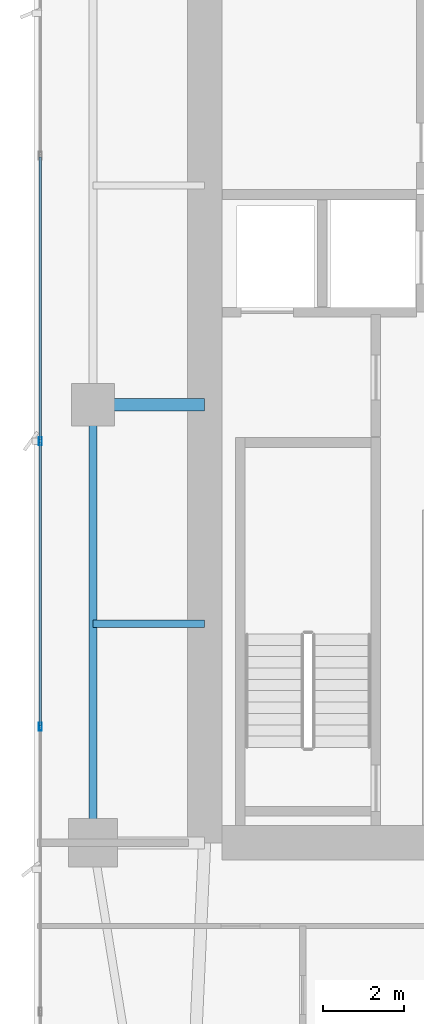
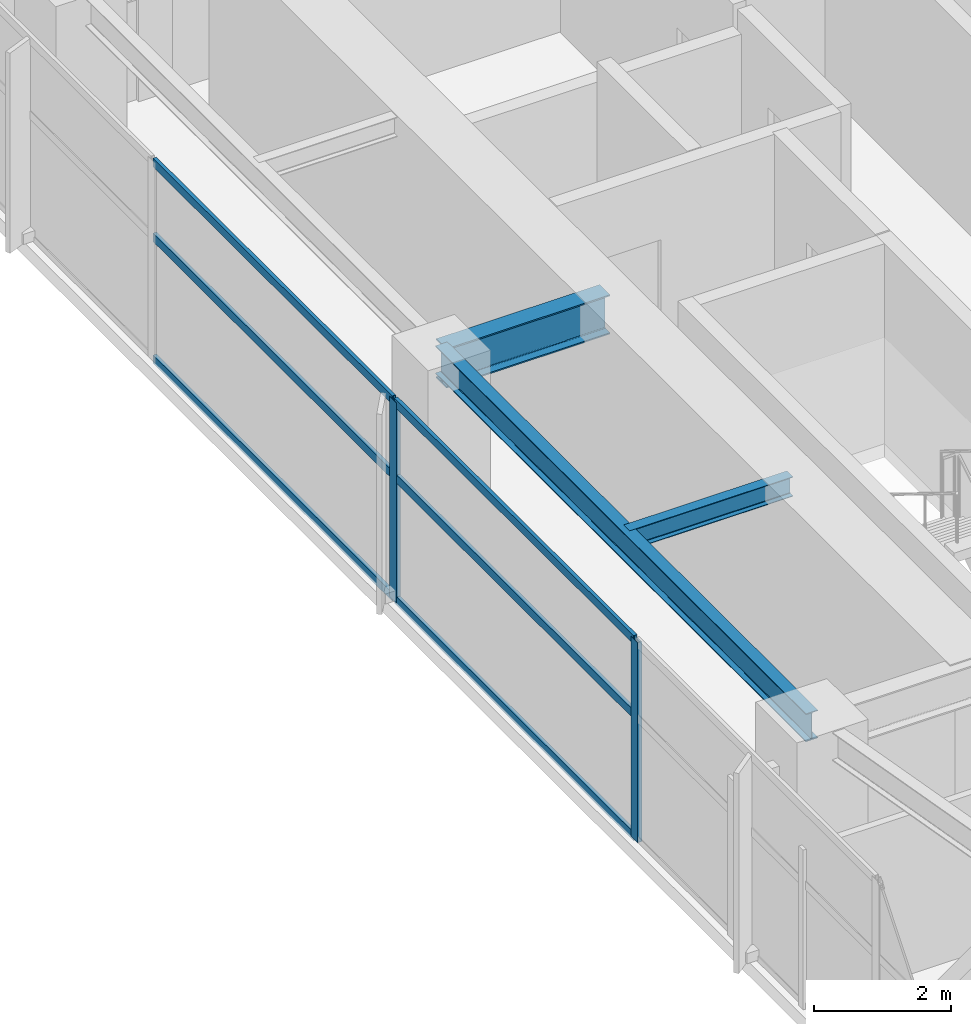
# One storey, part 8 of 29: 8 members, 3 beams, 1 element without a shape of its own.
"""IFC4 building model written with IfcOpenShell, lengths in metres."""

from ifc_helpers import new_model, si_unit, direction, frame, origin, origin_2d, place, context, subcontext, project, spatial, hollow_rectangle, i_section, extrude, material, layer, layer_set, material_profile, profile_set, type_object, element, aggregate, save


model = new_model("IFC4")

# Units and contexts
model_context = context("Model", 3, precision=1e-05, world=origin(), true_north=direction((0.0, 1.0)))
body_context = subcontext(model_context, "Body", "Model", "MODEL_VIEW")
ifc_project = project(units=[si_unit("LENGTHUNIT", "METRE"), si_unit("AREAUNIT", "SQUARE_METRE"), si_unit("VOLUMEUNIT", "CUBIC_METRE"), si_unit("PLANEANGLEUNIT", "RADIAN"), si_unit("MASSUNIT", "GRAM", prefix="KILO")], contexts=[model_context])

# Site, building, storey
site_placement = place(None, origin())
site = spatial("IfcSite", under=ifc_project, at=site_placement, CompositionType="ELEMENT")
building_placement = place(site_placement, origin())
building = spatial("IfcBuilding", under=site, at=building_placement, Name="Calvorn Quay Hotel", CompositionType="ELEMENT")
storey_placement = place(building_placement, frame((0.0, 0.0, 105.0)))
storey = spatial("IfcBuildingStorey", under=building, at=storey_placement, Name="L25", CompositionType="ELEMENT", Elevation=105.0)

# Beams
ifc_material_1 = material(Name="Steel Q390GJC", Category="steel")
ifc_material_profile_1 = material_profile(ifc_material_1, i_section(OverallWidth=0.300048828125, OverallDepth=0.699951171875, WebThickness=0.012939453125, FlangeThickness=0.02392578125, FilletRadius=0.02392578125, at=origin_2d()), Name="HN700x300x13x24")
ifc_profile_set_1 = profile_set([ifc_material_profile_1], Name="Steel Q390GJC")
beam_type_1 = type_object("IfcBeamType", Name="BM-GIRD-MAIN", PredefinedType="BEAM", material=ifc_profile_set_1)
beam_1_placement = place(storey_placement, frame((1.449951171875, 27.60009765625, 3.18994140625), z_axis=(1.0, 0.0, 0.0), x_axis=(0.0, 1.0, 0.0)))
element("IfcBeam", 1, at=beam_1_placement, inside=storey, type_object=beam_type_1, Name="Beam BG-L25-W2", PredefinedType="BEAM", context=body_context, shape_type="SweptSolid", body=[
    extrude(i_section(OverallWidth=0.300048828125, OverallDepth=0.699951171875, WebThickness=0.012939453125, FlangeThickness=0.02392578125, FilletRadius=0.02392578125, at=origin_2d()), origin(), (0.0, 0.0, 1.0), 2.75),
])
ifc_material_2 = material(Name="Steel Q355B", Category="steel")
ifc_material_profile_2 = material_profile(ifc_material_2, i_section(OverallWidth=0.175048828125, OverallDepth=0.35009765625, WebThickness=0.007080078125, FlangeThickness=0.010986328125, FilletRadius=0.013916015625, at=origin_2d()), Name="HN350x175x7x11")
ifc_profile_set_2 = profile_set([ifc_material_profile_2], Name="Steel Q355B")
beam_type_2 = type_object("IfcBeamType", Name="BM-JOIST-SEC", PredefinedType="JOIST", material=ifc_profile_set_2)
beam_2_placement = place(storey_placement, frame((1.449951171875, 22.199951171875, 3.364990234375), z_axis=(1.0, 0.0, 0.0), x_axis=(0.0, 1.0, 0.0)))
element("IfcBeam", 2, at=beam_2_placement, inside=storey, type_object=beam_type_2, Name="Beam BJ-L25-W3", PredefinedType="JOIST", context=body_context, shape_type="SweptSolid", body=[
    extrude(i_section(OverallWidth=0.175048828125, OverallDepth=0.35009765625, WebThickness=0.007080078125, FlangeThickness=0.010986328125, FilletRadius=0.013916015625, at=origin_2d()), origin(), (0.0, 0.0, 1.0), 2.75),
])
ifc_material_3 = material(Name="Steel Q355B", Category="steel")
ifc_material_profile_3 = material_profile(ifc_material_3, i_section(OverallWidth=0.199951171875, OverallDepth=0.5, WebThickness=0.010009765625, FlangeThickness=0.01611328125, FilletRadius=0.01611328125, at=origin_2d()), Name="HN500x200x10x16")
ifc_profile_set_3 = profile_set([ifc_material_profile_3], Name="Steel Q355B")
beam_type_3 = type_object("IfcBeamType", Name="BM-SPANDREL-Z1", PredefinedType="SPANDREL", material=ifc_profile_set_3)
beam_3_placement = place(storey_placement, frame((1.449951171875, 16.800048828125, 3.2900390625), z_axis=(0.0, 1.0, 0.0), x_axis=(-1.0, 0.0, 0.0)))
element("IfcBeam", 3, at=beam_3_placement, inside=storey, type_object=beam_type_3, Name="Beam BSP-L25-W2", PredefinedType="SPANDREL", context=body_context, shape_type="SweptSolid", body=[
    extrude(i_section(OverallWidth=0.199951171875, OverallDepth=0.5, WebThickness=0.010009765625, FlangeThickness=0.01611328125, FilletRadius=0.01611328125, at=origin_2d()), origin(), (0.0, 0.0, 1.0), 10.800048828125),
])

# Curtain wall, members
ifc_material_4 = material(Name="Pale Anodised Aluminium and Low-E Glass", Category="aluminium")
ifc_layer = layer(ifc_material_4, 0.219970703125)
ifc_layer_set = layer_set([ifc_layer], Name="CW-SYS-Z2")
curtain_wall_type = type_object("IfcCurtainWallType", Name="CW-SYS-Z2", PredefinedType="NOTDEFINED", material=ifc_layer_set)
curtain_wall_placement = place(storey_placement, origin())
curtain_wall = element("IfcCurtainWall", 4, at=curtain_wall_placement, inside=storey, type_object=curtain_wall_type, Name="Tower West Curtain Wall (L25)", PredefinedType="NOTDEFINED")
ifc_material_5 = material(Name="Pale Anodised Aluminium 6063-T6", Category="aluminium")
ifc_material_profile_4 = material_profile(ifc_material_5, hollow_rectangle(XDim=0.070068359375, YDim=0.199951171875, WallThickness=0.00390625, at=origin_2d()), Name="ALU-M200x70x4")
ifc_profile_set_4 = profile_set([ifc_material_profile_4], Name="Pale Anodised Aluminium 6063-T6")
member_type_1 = type_object("IfcMemberType", Name="CW-SYS-Z2-MUL", PredefinedType="MULLION", material=ifc_profile_set_4)
member_1_placement = place(storey_placement, frame((0.14990234375, 19.666748046875, 0.0), z_axis=(0.0, 0.0, 1.0), x_axis=(-1.0, 0.0, 0.0)))
member_1 = element("IfcMember", 5, at=member_1_placement, type_object=member_type_1, Name="CW-L25-W mullion 3", PredefinedType="MULLION", context=body_context, shape_type="SweptSolid", body=[
    extrude(hollow_rectangle(XDim=0.070068359375, YDim=0.199951171875, WallThickness=0.00390625, at=origin_2d()), origin(), (0.0, 0.0, 1.0), 3.56005859375),
])
member_2_placement = place(storey_placement, frame((0.14990234375, 26.699951171875, 0.0), z_axis=(0.0, 0.0, 1.0), x_axis=(-1.0, 0.0, 0.0)))
member_2 = element("IfcMember", 6, at=member_2_placement, type_object=member_type_1, Name="CW-L25-W mullion 4", PredefinedType="MULLION", context=body_context, shape_type="SweptSolid", body=[
    extrude(hollow_rectangle(XDim=0.070068359375, YDim=0.199951171875, WallThickness=0.00390625, at=origin_2d()), origin(), (0.0, 0.0, 1.0), 3.56005859375),
])
ifc_material_6 = material(Name="Pale Anodised Aluminium 6063-T6", Category="aluminium")
ifc_material_profile_5 = material_profile(ifc_material_6, hollow_rectangle(XDim=0.06005859375, YDim=0.14990234375, WallThickness=0.00341796875, at=origin_2d()), Name="ALU-T150x60x3.5")
ifc_profile_set_5 = profile_set([ifc_material_profile_5], Name="Pale Anodised Aluminium 6063-T6")
member_type_2 = type_object("IfcMemberType", Name="CW-SYS-Z2-TRN", PredefinedType="USERDEFINED", material=ifc_profile_set_5)
member_3_placement = place(storey_placement, frame((0.14990234375, 19.69677734375, 0.030029296875), z_axis=(0.0, 1.0, 0.0), x_axis=(-1.0, 0.0, 0.0)))
member_3 = element("IfcMember", 7, at=member_3_placement, type_object=member_type_2, Name="CW-L25-W transom 3.1", ObjectType="TRANSOM", PredefinedType="USERDEFINED", context=body_context, shape_type="SweptSolid", body=[
    extrude(hollow_rectangle(XDim=0.06005859375, YDim=0.14990234375, WallThickness=0.00341796875, at=origin_2d()), origin(), (0.0, 0.0, 1.0), 6.97314453125),
])
member_4_placement = place(storey_placement, frame((0.14990234375, 19.69677734375, 2.199951171875), z_axis=(0.0, 1.0, 0.0), x_axis=(-1.0, 0.0, 0.0)))
member_4 = element("IfcMember", 8, at=member_4_placement, type_object=member_type_2, Name="CW-L25-W transom 3.2", ObjectType="TRANSOM", PredefinedType="USERDEFINED", context=body_context, shape_type="SweptSolid", body=[
    extrude(hollow_rectangle(XDim=0.06005859375, YDim=0.14990234375, WallThickness=0.00341796875, at=origin_2d()), origin(), (0.0, 0.0, 1.0), 6.97314453125),
])
member_5_placement = place(storey_placement, frame((0.14990234375, 19.69677734375, 3.530029296875), z_axis=(0.0, 1.0, 0.0), x_axis=(-1.0, 0.0, 0.0)))
member_5 = element("IfcMember", 9, at=member_5_placement, type_object=member_type_2, Name="CW-L25-W transom 3.3", ObjectType="TRANSOM", PredefinedType="USERDEFINED", context=body_context, shape_type="SweptSolid", body=[
    extrude(hollow_rectangle(XDim=0.06005859375, YDim=0.14990234375, WallThickness=0.00341796875, at=origin_2d()), origin(), (0.0, 0.0, 1.0), 6.97314453125),
])
member_6_placement = place(storey_placement, frame((0.14990234375, 26.72998046875, 0.030029296875), z_axis=(0.0, 1.0, 0.0), x_axis=(-1.0, 0.0, 0.0)))
member_6 = element("IfcMember", 10, at=member_6_placement, type_object=member_type_2, Name="CW-L25-W transom 4.1", ObjectType="TRANSOM", PredefinedType="USERDEFINED", context=body_context, shape_type="SweptSolid", body=[
    extrude(hollow_rectangle(XDim=0.06005859375, YDim=0.14990234375, WallThickness=0.00341796875, at=origin_2d()), origin(), (0.0, 0.0, 1.0), 6.973388671875),
])
member_7_placement = place(storey_placement, frame((0.14990234375, 26.72998046875, 2.199951171875), z_axis=(0.0, 1.0, 0.0), x_axis=(-1.0, 0.0, 0.0)))
member_7 = element("IfcMember", 11, at=member_7_placement, type_object=member_type_2, Name="CW-L25-W transom 4.2", ObjectType="TRANSOM", PredefinedType="USERDEFINED", context=body_context, shape_type="SweptSolid", body=[
    extrude(hollow_rectangle(XDim=0.06005859375, YDim=0.14990234375, WallThickness=0.00341796875, at=origin_2d()), origin(), (0.0, 0.0, 1.0), 6.973388671875),
])
member_8_placement = place(storey_placement, frame((0.14990234375, 26.72998046875, 3.530029296875), z_axis=(0.0, 1.0, 0.0), x_axis=(-1.0, 0.0, 0.0)))
member_8 = element("IfcMember", 12, at=member_8_placement, type_object=member_type_2, Name="CW-L25-W transom 4.3", ObjectType="TRANSOM", PredefinedType="USERDEFINED", context=body_context, shape_type="SweptSolid", body=[
    extrude(hollow_rectangle(XDim=0.06005859375, YDim=0.14990234375, WallThickness=0.00341796875, at=origin_2d()), origin(), (0.0, 0.0, 1.0), 6.973388671875),
])
aggregate(curtain_wall, [member_1, member_2, member_3, member_4, member_5, member_6, member_7, member_8])

save(model, "model.ifc")
